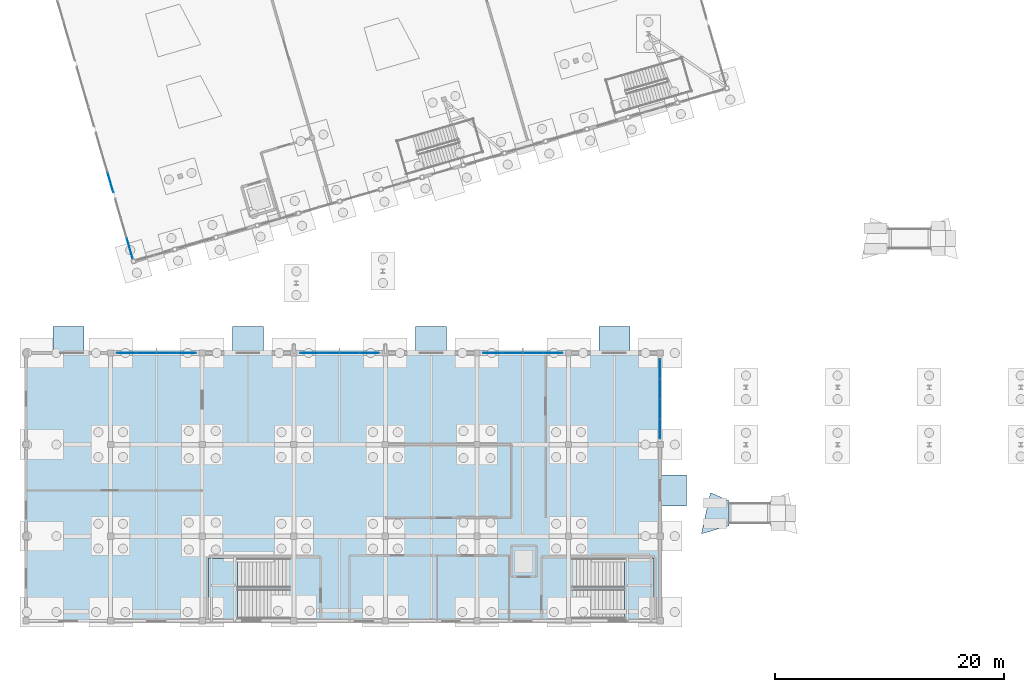
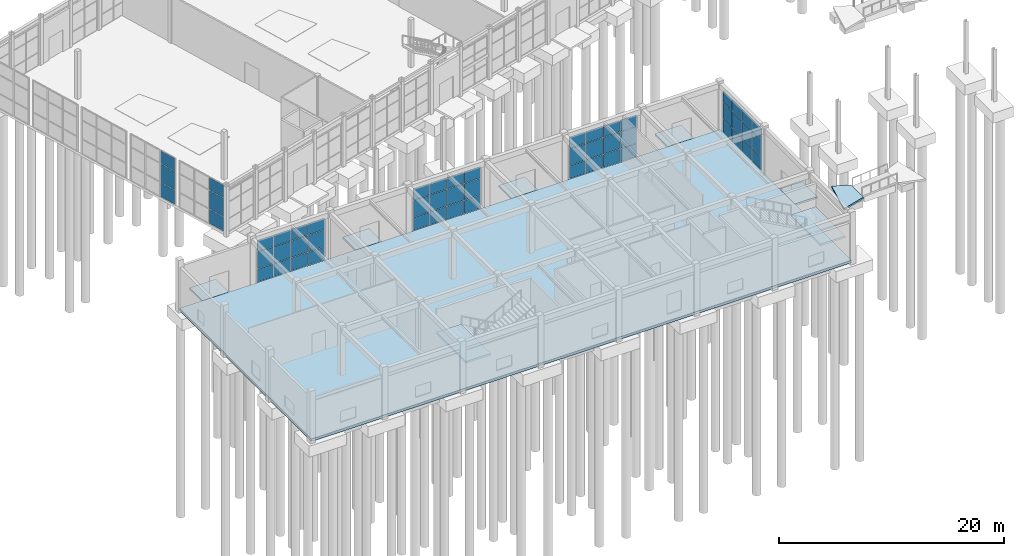
# One storey, part 61 of 90: 54 plates, 9 slabs, 8 elements without a shape of their own.
"""IFC4 building model written with IfcOpenShell, lengths in metres."""

from ifc_helpers import new_model, si_unit, direction, frame, origin, origin_2d, place, context, subcontext, project, spatial, polyline, rectangle, outline, extrude, material, layer, layer_set, type_object, element, aggregate, save


model = new_model("IFC4")

# Units and contexts
model_context = context("Model", 3, precision=1e-05, world=origin(), true_north=direction((0.0, 1.0)))
body_context = subcontext(model_context, "Body", "Model", "MODEL_VIEW")
ifc_project = project(units=[si_unit("LENGTHUNIT", "METRE"), si_unit("AREAUNIT", "SQUARE_METRE"), si_unit("VOLUMEUNIT", "CUBIC_METRE"), si_unit("PLANEANGLEUNIT", "RADIAN"), si_unit("MASSUNIT", "GRAM", prefix="KILO")], contexts=[model_context])

# Site, building, storey
site_placement = place(None, origin())
site = spatial("IfcSite", under=ifc_project, at=site_placement, CompositionType="ELEMENT")
building_placement = place(site_placement, origin())
building = spatial("IfcBuilding", under=site, at=building_placement, Name="Canggui Botanical Conservatory", CompositionType="ELEMENT")
storey_placement = place(building_placement, origin())
storey = spatial("IfcBuildingStorey", under=building, at=storey_placement, Name="L01", CompositionType="ELEMENT", Elevation=0.0)

# Curtain wall, plates
ifc_material_1 = material(Name="Thermally Broken Aluminium", Category="aluminium")
ifc_layer_1 = layer(ifc_material_1, 0.14990234375, Name="Thermally Broken Aluminium", Category="aluminium")
ifc_layer_set_1 = layer_set([ifc_layer_1], Name="Thermally Broken Aluminium")
curtain_wall_type_1 = type_object("IfcCurtainWallType", Name="CW-UNIT-C", PredefinedType="USERDEFINED", material=ifc_layer_set_1)
curtain_wall_1_placement = place(storey_placement, origin())
curtain_wall_1 = element("IfcCurtainWall", 1, at=curtain_wall_1_placement, inside=storey, type_object=curtain_wall_type_1, Name="Facade Curtain Wall CW-CONS-GABLE-S-01", ObjectType="UNITISED CURTAIN WALL", PredefinedType="USERDEFINED")
ifc_material_2 = material(Name="Low-E Insulated Glass", Category="glass")
ifc_layer_2 = layer(ifc_material_2, 0.033935546875, Name="Low-E Insulated Glass", Category="glass")
ifc_layer_set_2 = layer_set([ifc_layer_2], Name="Low-E Insulated Glass")
plate_type_1 = type_object("IfcPlateType", Name="CWP-03", PredefinedType="CURTAIN_PANEL", material=ifc_layer_set_2)
plate_1_placement = place(storey_placement, frame((19.669189453125, 43.134521484375, 0.05517578125), z_axis=(0.0, 0.0, 1.0), x_axis=(-0.279999999995, 0.960000000002, 0.0)))
plate_1 = element("IfcPlate", 2, at=plate_1_placement, type_object=plate_type_1, Name="CW-03 panel 1.1", PredefinedType="CURTAIN_PANEL", context=body_context, shape_type="SweptSolid", body=[
    extrude(rectangle(XDim=1.743408203125, YDim=0.033935546875, at=origin_2d()), origin(), (0.0, 0.0, 1.0), 1.549560546875),
])
plate_2_placement = place(storey_placement, frame((19.669189453125, 43.134521484375, 1.65966796875), z_axis=(0.0, 0.0, 1.0), x_axis=(-0.279999999995, 0.960000000002, 0.0)))
plate_2 = element("IfcPlate", 3, at=plate_2_placement, type_object=plate_type_1, Name="CW-03 panel 1.2", PredefinedType="CURTAIN_PANEL", context=body_context, shape_type="SweptSolid", body=[
    extrude(rectangle(XDim=1.743408203125, YDim=0.033935546875, at=origin_2d()), origin(), (0.0, 0.0, 1.0), 1.985107421875),
])
plate_3_placement = place(storey_placement, frame((19.669189453125, 43.134521484375, 3.69970703125), z_axis=(0.0, 0.0, 1.0), x_axis=(-0.279999999995, 0.960000000002, 0.0)))
plate_3 = element("IfcPlate", 4, at=plate_3_placement, type_object=plate_type_1, Name="CW-03 panel 1.3", PredefinedType="CURTAIN_PANEL", context=body_context, shape_type="SweptSolid", body=[
    extrude(rectangle(XDim=1.743408203125, YDim=0.033935546875, at=origin_2d()), origin(), (0.0, 0.0, 1.0), 1.345458984375),
])
aggregate(curtain_wall_1, [plate_1, plate_2, plate_3])

curtain_wall_2_placement = place(storey_placement, origin())
curtain_wall_2 = element("IfcCurtainWall", 5, at=curtain_wall_2_placement, inside=storey, type_object=curtain_wall_type_1, Name="Facade Curtain Wall CW-CONS-GABLE-S-02", ObjectType="UNITISED CURTAIN WALL", PredefinedType="USERDEFINED")
plate_4_placement = place(storey_placement, frame((17.989013671875, 48.894287109375, 0.05517578125), z_axis=(0.0, 0.0, 1.0), x_axis=(-0.279999999995, 0.960000000002, 0.0)))
plate_4 = element("IfcPlate", 6, at=plate_4_placement, type_object=plate_type_1, Name="CW-03 panel 1.1", PredefinedType="CURTAIN_PANEL", context=body_context, shape_type="SweptSolid", body=[
    extrude(rectangle(XDim=1.743408203125, YDim=0.033935546875, at=origin_2d()), origin(), (0.0, 0.0, 1.0), 1.549560546875),
])
plate_5_placement = place(storey_placement, frame((17.989013671875, 48.894287109375, 1.65966796875), z_axis=(0.0, 0.0, 1.0), x_axis=(-0.279999999995, 0.960000000002, 0.0)))
plate_5 = element("IfcPlate", 7, at=plate_5_placement, type_object=plate_type_1, Name="CW-03 panel 1.2", PredefinedType="CURTAIN_PANEL", context=body_context, shape_type="SweptSolid", body=[
    extrude(rectangle(XDim=1.743408203125, YDim=0.033935546875, at=origin_2d()), origin(), (0.0, 0.0, 1.0), 1.985107421875),
])
plate_6_placement = place(storey_placement, frame((17.989013671875, 48.894287109375, 3.69970703125), z_axis=(0.0, 0.0, 1.0), x_axis=(-0.279999999995, 0.960000000002, 0.0)))
plate_6 = element("IfcPlate", 8, at=plate_6_placement, type_object=plate_type_1, Name="CW-03 panel 1.3", PredefinedType="CURTAIN_PANEL", context=body_context, shape_type="SweptSolid", body=[
    extrude(rectangle(XDim=1.743408203125, YDim=0.033935546875, at=origin_2d()), origin(), (0.0, 0.0, 1.0), 1.345458984375),
])
aggregate(curtain_wall_2, [plate_4, plate_5, plate_6])

ifc_layer_3 = layer(ifc_material_1, 0.135009765625, Name="Thermally Broken Aluminium", Category="aluminium")
ifc_layer_set_3 = layer_set([ifc_layer_3], Name="Thermally Broken Aluminium")
curtain_wall_type_2 = type_object("IfcCurtainWallType", Name="CW-STICK-A", PredefinedType="USERDEFINED", material=ifc_layer_set_3)
curtain_wall_3_placement = place(storey_placement, origin())
curtain_wall_3 = element("IfcCurtainWall", 9, at=curtain_wall_3_placement, inside=storey, type_object=curtain_wall_type_2, Name="Facade Curtain Wall CW-VIS-L01-12", ObjectType="STICK GLAZED WALL", PredefinedType="USERDEFINED")
ifc_layer_4 = layer(ifc_material_2, 0.0380859375, Name="Low-E Insulated Glass", Category="glass")
ifc_layer_set_4 = layer_set([ifc_layer_4], Name="Low-E Insulated Glass")
plate_type_2 = type_object("IfcPlateType", Name="CWP-04", PredefinedType="CURTAIN_PANEL", material=ifc_layer_set_4)
plate_7_placement = place(storey_placement, frame((19.389892578125, 34.0, 0.0498046875), z_axis=(0.0, 0.0, 1.0), x_axis=(1.0, 0.0, 0.0)))
plate_7 = element("IfcPlate", 10, at=plate_7_placement, type_object=plate_type_2, Name="CW-04 panel 1.1", PredefinedType="CURTAIN_PANEL", context=body_context, shape_type="SweptSolid", body=[
    extrude(rectangle(XDim=1.659912109375, YDim=0.0380859375, at=origin_2d()), origin(), (0.0, 0.0, 1.0), 1.400146484375),
])
plate_8_placement = place(storey_placement, frame((19.389892578125, 34.0, 1.500244140625), z_axis=(0.0, 0.0, 1.0), x_axis=(1.0, 0.0, 0.0)))
plate_8 = element("IfcPlate", 11, at=plate_8_placement, type_object=plate_type_2, Name="CW-04 panel 1.2", PredefinedType="CURTAIN_PANEL", context=body_context, shape_type="SweptSolid", body=[
    extrude(rectangle(XDim=1.659912109375, YDim=0.0380859375, at=origin_2d()), origin(), (0.0, 0.0, 1.0), 1.7939453125),
])
plate_9_placement = place(storey_placement, frame((19.389892578125, 34.0, 3.34423828125), z_axis=(0.0, 0.0, 1.0), x_axis=(1.0, 0.0, 0.0)))
plate_9 = element("IfcPlate", 12, at=plate_9_placement, type_object=plate_type_2, Name="CW-04 panel 1.3", PredefinedType="CURTAIN_PANEL", context=body_context, shape_type="SweptSolid", body=[
    extrude(rectangle(XDim=1.659912109375, YDim=0.0380859375, at=origin_2d()), origin(), (0.0, 0.0, 1.0), 1.2158203125),
])
plate_10_placement = place(storey_placement, frame((21.125, 34.0, 0.0498046875), z_axis=(0.0, 0.0, 1.0), x_axis=(1.0, 0.0, 0.0)))
plate_10 = element("IfcPlate", 13, at=plate_10_placement, type_object=plate_type_2, Name="CW-04 panel 2.1", PredefinedType="CURTAIN_PANEL", context=body_context, shape_type="SweptSolid", body=[
    extrude(rectangle(XDim=1.68994140625, YDim=0.0380859375, at=origin_2d()), origin(), (0.0, 0.0, 1.0), 1.400146484375),
])
plate_11_placement = place(storey_placement, frame((21.125, 34.0, 1.500244140625), z_axis=(0.0, 0.0, 1.0), x_axis=(1.0, 0.0, 0.0)))
plate_11 = element("IfcPlate", 14, at=plate_11_placement, type_object=plate_type_2, Name="CW-04 panel 2.2", PredefinedType="CURTAIN_PANEL", context=body_context, shape_type="SweptSolid", body=[
    extrude(rectangle(XDim=1.68994140625, YDim=0.0380859375, at=origin_2d()), origin(), (0.0, 0.0, 1.0), 1.7939453125),
])
plate_12_placement = place(storey_placement, frame((21.125, 34.0, 3.34423828125), z_axis=(0.0, 0.0, 1.0), x_axis=(1.0, 0.0, 0.0)))
plate_12 = element("IfcPlate", 15, at=plate_12_placement, type_object=plate_type_2, Name="CW-04 panel 2.3", PredefinedType="CURTAIN_PANEL", context=body_context, shape_type="SweptSolid", body=[
    extrude(rectangle(XDim=1.68994140625, YDim=0.0380859375, at=origin_2d()), origin(), (0.0, 0.0, 1.0), 1.2158203125),
])
plate_13_placement = place(storey_placement, frame((22.875, 34.0, 0.0498046875), z_axis=(0.0, 0.0, 1.0), x_axis=(1.0, 0.0, 0.0)))
plate_13 = element("IfcPlate", 16, at=plate_13_placement, type_object=plate_type_2, Name="CW-04 panel 3.1", PredefinedType="CURTAIN_PANEL", context=body_context, shape_type="SweptSolid", body=[
    extrude(rectangle(XDim=1.68994140625, YDim=0.0380859375, at=origin_2d()), origin(), (0.0, 0.0, 1.0), 1.400146484375),
])
plate_14_placement = place(storey_placement, frame((22.875, 34.0, 1.500244140625), z_axis=(0.0, 0.0, 1.0), x_axis=(1.0, 0.0, 0.0)))
plate_14 = element("IfcPlate", 17, at=plate_14_placement, type_object=plate_type_2, Name="CW-04 panel 3.2", PredefinedType="CURTAIN_PANEL", context=body_context, shape_type="SweptSolid", body=[
    extrude(rectangle(XDim=1.68994140625, YDim=0.0380859375, at=origin_2d()), origin(), (0.0, 0.0, 1.0), 1.7939453125),
])
plate_15_placement = place(storey_placement, frame((22.875, 34.0, 3.34423828125), z_axis=(0.0, 0.0, 1.0), x_axis=(1.0, 0.0, 0.0)))
plate_15 = element("IfcPlate", 18, at=plate_15_placement, type_object=plate_type_2, Name="CW-04 panel 3.3", PredefinedType="CURTAIN_PANEL", context=body_context, shape_type="SweptSolid", body=[
    extrude(rectangle(XDim=1.68994140625, YDim=0.0380859375, at=origin_2d()), origin(), (0.0, 0.0, 1.0), 1.2158203125),
])
plate_16_placement = place(storey_placement, frame((24.610107421875, 34.0, 0.0498046875), z_axis=(0.0, 0.0, 1.0), x_axis=(1.0, 0.0, 0.0)))
plate_16 = element("IfcPlate", 19, at=plate_16_placement, type_object=plate_type_2, Name="CW-04 panel 4.1", PredefinedType="CURTAIN_PANEL", context=body_context, shape_type="SweptSolid", body=[
    extrude(rectangle(XDim=1.659912109375, YDim=0.0380859375, at=origin_2d()), origin(), (0.0, 0.0, 1.0), 1.400146484375),
])
plate_17_placement = place(storey_placement, frame((24.610107421875, 34.0, 1.500244140625), z_axis=(0.0, 0.0, 1.0), x_axis=(1.0, 0.0, 0.0)))
plate_17 = element("IfcPlate", 20, at=plate_17_placement, type_object=plate_type_2, Name="CW-04 panel 4.2", PredefinedType="CURTAIN_PANEL", context=body_context, shape_type="SweptSolid", body=[
    extrude(rectangle(XDim=1.659912109375, YDim=0.0380859375, at=origin_2d()), origin(), (0.0, 0.0, 1.0), 1.7939453125),
])
plate_18_placement = place(storey_placement, frame((24.610107421875, 34.0, 3.34423828125), z_axis=(0.0, 0.0, 1.0), x_axis=(1.0, 0.0, 0.0)))
plate_18 = element("IfcPlate", 21, at=plate_18_placement, type_object=plate_type_2, Name="CW-04 panel 4.3", PredefinedType="CURTAIN_PANEL", context=body_context, shape_type="SweptSolid", body=[
    extrude(rectangle(XDim=1.659912109375, YDim=0.0380859375, at=origin_2d()), origin(), (0.0, 0.0, 1.0), 1.2158203125),
])
aggregate(curtain_wall_3, [plate_7, plate_8, plate_9, plate_10, plate_11, plate_12, plate_13, plate_14, plate_15, plate_16, plate_17, plate_18])

curtain_wall_4_placement = place(storey_placement, origin())
curtain_wall_4 = element("IfcCurtainWall", 22, at=curtain_wall_4_placement, inside=storey, type_object=curtain_wall_type_2, Name="Facade Curtain Wall CW-VIS-L01-14", ObjectType="STICK GLAZED WALL", PredefinedType="USERDEFINED")
plate_19_placement = place(storey_placement, frame((35.389892578125, 34.0, 0.0498046875), z_axis=(0.0, 0.0, 1.0), x_axis=(1.0, 0.0, 0.0)))
plate_19 = element("IfcPlate", 23, at=plate_19_placement, type_object=plate_type_2, Name="CW-04 panel 1.1", PredefinedType="CURTAIN_PANEL", context=body_context, shape_type="SweptSolid", body=[
    extrude(rectangle(XDim=1.659912109375, YDim=0.0380859375, at=origin_2d()), origin(), (0.0, 0.0, 1.0), 1.400146484375),
])
plate_20_placement = place(storey_placement, frame((35.389892578125, 34.0, 1.500244140625), z_axis=(0.0, 0.0, 1.0), x_axis=(1.0, 0.0, 0.0)))
plate_20 = element("IfcPlate", 24, at=plate_20_placement, type_object=plate_type_2, Name="CW-04 panel 1.2", PredefinedType="CURTAIN_PANEL", context=body_context, shape_type="SweptSolid", body=[
    extrude(rectangle(XDim=1.659912109375, YDim=0.0380859375, at=origin_2d()), origin(), (0.0, 0.0, 1.0), 1.7939453125),
])
plate_21_placement = place(storey_placement, frame((35.389892578125, 34.0, 3.34423828125), z_axis=(0.0, 0.0, 1.0), x_axis=(1.0, 0.0, 0.0)))
plate_21 = element("IfcPlate", 25, at=plate_21_placement, type_object=plate_type_2, Name="CW-04 panel 1.3", PredefinedType="CURTAIN_PANEL", context=body_context, shape_type="SweptSolid", body=[
    extrude(rectangle(XDim=1.659912109375, YDim=0.0380859375, at=origin_2d()), origin(), (0.0, 0.0, 1.0), 1.2158203125),
])
plate_22_placement = place(storey_placement, frame((37.125, 34.0, 0.0498046875), z_axis=(0.0, 0.0, 1.0), x_axis=(1.0, 0.0, 0.0)))
plate_22 = element("IfcPlate", 26, at=plate_22_placement, type_object=plate_type_2, Name="CW-04 panel 2.1", PredefinedType="CURTAIN_PANEL", context=body_context, shape_type="SweptSolid", body=[
    extrude(rectangle(XDim=1.68994140625, YDim=0.0380859375, at=origin_2d()), origin(), (0.0, 0.0, 1.0), 1.400146484375),
])
plate_23_placement = place(storey_placement, frame((37.125, 34.0, 1.500244140625), z_axis=(0.0, 0.0, 1.0), x_axis=(1.0, 0.0, 0.0)))
plate_23 = element("IfcPlate", 27, at=plate_23_placement, type_object=plate_type_2, Name="CW-04 panel 2.2", PredefinedType="CURTAIN_PANEL", context=body_context, shape_type="SweptSolid", body=[
    extrude(rectangle(XDim=1.68994140625, YDim=0.0380859375, at=origin_2d()), origin(), (0.0, 0.0, 1.0), 1.7939453125),
])
plate_24_placement = place(storey_placement, frame((37.125, 34.0, 3.34423828125), z_axis=(0.0, 0.0, 1.0), x_axis=(1.0, 0.0, 0.0)))
plate_24 = element("IfcPlate", 28, at=plate_24_placement, type_object=plate_type_2, Name="CW-04 panel 2.3", PredefinedType="CURTAIN_PANEL", context=body_context, shape_type="SweptSolid", body=[
    extrude(rectangle(XDim=1.68994140625, YDim=0.0380859375, at=origin_2d()), origin(), (0.0, 0.0, 1.0), 1.2158203125),
])
plate_25_placement = place(storey_placement, frame((38.875, 34.0, 0.0498046875), z_axis=(0.0, 0.0, 1.0), x_axis=(1.0, 0.0, 0.0)))
plate_25 = element("IfcPlate", 29, at=plate_25_placement, type_object=plate_type_2, Name="CW-04 panel 3.1", PredefinedType="CURTAIN_PANEL", context=body_context, shape_type="SweptSolid", body=[
    extrude(rectangle(XDim=1.68994140625, YDim=0.0380859375, at=origin_2d()), origin(), (0.0, 0.0, 1.0), 1.400146484375),
])
plate_26_placement = place(storey_placement, frame((38.875, 34.0, 1.500244140625), z_axis=(0.0, 0.0, 1.0), x_axis=(1.0, 0.0, 0.0)))
plate_26 = element("IfcPlate", 30, at=plate_26_placement, type_object=plate_type_2, Name="CW-04 panel 3.2", PredefinedType="CURTAIN_PANEL", context=body_context, shape_type="SweptSolid", body=[
    extrude(rectangle(XDim=1.68994140625, YDim=0.0380859375, at=origin_2d()), origin(), (0.0, 0.0, 1.0), 1.7939453125),
])
plate_27_placement = place(storey_placement, frame((38.875, 34.0, 3.34423828125), z_axis=(0.0, 0.0, 1.0), x_axis=(1.0, 0.0, 0.0)))
plate_27 = element("IfcPlate", 31, at=plate_27_placement, type_object=plate_type_2, Name="CW-04 panel 3.3", PredefinedType="CURTAIN_PANEL", context=body_context, shape_type="SweptSolid", body=[
    extrude(rectangle(XDim=1.68994140625, YDim=0.0380859375, at=origin_2d()), origin(), (0.0, 0.0, 1.0), 1.2158203125),
])
plate_28_placement = place(storey_placement, frame((40.610107421875, 34.0, 0.0498046875), z_axis=(0.0, 0.0, 1.0), x_axis=(1.0, 0.0, 0.0)))
plate_28 = element("IfcPlate", 32, at=plate_28_placement, type_object=plate_type_2, Name="CW-04 panel 4.1", PredefinedType="CURTAIN_PANEL", context=body_context, shape_type="SweptSolid", body=[
    extrude(rectangle(XDim=1.659912109375, YDim=0.0380859375, at=origin_2d()), origin(), (0.0, 0.0, 1.0), 1.400146484375),
])
plate_29_placement = place(storey_placement, frame((40.610107421875, 34.0, 1.500244140625), z_axis=(0.0, 0.0, 1.0), x_axis=(1.0, 0.0, 0.0)))
plate_29 = element("IfcPlate", 33, at=plate_29_placement, type_object=plate_type_2, Name="CW-04 panel 4.2", PredefinedType="CURTAIN_PANEL", context=body_context, shape_type="SweptSolid", body=[
    extrude(rectangle(XDim=1.659912109375, YDim=0.0380859375, at=origin_2d()), origin(), (0.0, 0.0, 1.0), 1.7939453125),
])
plate_30_placement = place(storey_placement, frame((40.610107421875, 34.0, 3.34423828125), z_axis=(0.0, 0.0, 1.0), x_axis=(1.0, 0.0, 0.0)))
plate_30 = element("IfcPlate", 34, at=plate_30_placement, type_object=plate_type_2, Name="CW-04 panel 4.3", PredefinedType="CURTAIN_PANEL", context=body_context, shape_type="SweptSolid", body=[
    extrude(rectangle(XDim=1.659912109375, YDim=0.0380859375, at=origin_2d()), origin(), (0.0, 0.0, 1.0), 1.2158203125),
])
aggregate(curtain_wall_4, [plate_19, plate_20, plate_21, plate_22, plate_23, plate_24, plate_25, plate_26, plate_27, plate_28, plate_29, plate_30])

curtain_wall_5_placement = place(storey_placement, origin())
curtain_wall_5 = element("IfcCurtainWall", 35, at=curtain_wall_5_placement, inside=storey, type_object=curtain_wall_type_2, Name="Facade Curtain Wall CW-VIS-L01-16", ObjectType="STICK GLAZED WALL", PredefinedType="USERDEFINED")
plate_31_placement = place(storey_placement, frame((51.389892578125, 34.0, 0.0498046875), z_axis=(0.0, 0.0, 1.0), x_axis=(1.0, 0.0, 0.0)))
plate_31 = element("IfcPlate", 36, at=plate_31_placement, type_object=plate_type_2, Name="CW-04 panel 1.1", PredefinedType="CURTAIN_PANEL", context=body_context, shape_type="SweptSolid", body=[
    extrude(rectangle(XDim=1.659912109375, YDim=0.0380859375, at=origin_2d()), origin(), (0.0, 0.0, 1.0), 1.400146484375),
])
plate_32_placement = place(storey_placement, frame((51.389892578125, 34.0, 1.500244140625), z_axis=(0.0, 0.0, 1.0), x_axis=(1.0, 0.0, 0.0)))
plate_32 = element("IfcPlate", 37, at=plate_32_placement, type_object=plate_type_2, Name="CW-04 panel 1.2", PredefinedType="CURTAIN_PANEL", context=body_context, shape_type="SweptSolid", body=[
    extrude(rectangle(XDim=1.659912109375, YDim=0.0380859375, at=origin_2d()), origin(), (0.0, 0.0, 1.0), 1.7939453125),
])
plate_33_placement = place(storey_placement, frame((51.389892578125, 34.0, 3.34423828125), z_axis=(0.0, 0.0, 1.0), x_axis=(1.0, 0.0, 0.0)))
plate_33 = element("IfcPlate", 38, at=plate_33_placement, type_object=plate_type_2, Name="CW-04 panel 1.3", PredefinedType="CURTAIN_PANEL", context=body_context, shape_type="SweptSolid", body=[
    extrude(rectangle(XDim=1.659912109375, YDim=0.0380859375, at=origin_2d()), origin(), (0.0, 0.0, 1.0), 1.2158203125),
])
plate_34_placement = place(storey_placement, frame((53.125, 34.0, 0.0498046875), z_axis=(0.0, 0.0, 1.0), x_axis=(1.0, 0.0, 0.0)))
plate_34 = element("IfcPlate", 39, at=plate_34_placement, type_object=plate_type_2, Name="CW-04 panel 2.1", PredefinedType="CURTAIN_PANEL", context=body_context, shape_type="SweptSolid", body=[
    extrude(rectangle(XDim=1.68994140625, YDim=0.0380859375, at=origin_2d()), origin(), (0.0, 0.0, 1.0), 1.400146484375),
])
plate_35_placement = place(storey_placement, frame((53.125, 34.0, 1.500244140625), z_axis=(0.0, 0.0, 1.0), x_axis=(1.0, 0.0, 0.0)))
plate_35 = element("IfcPlate", 40, at=plate_35_placement, type_object=plate_type_2, Name="CW-04 panel 2.2", PredefinedType="CURTAIN_PANEL", context=body_context, shape_type="SweptSolid", body=[
    extrude(rectangle(XDim=1.68994140625, YDim=0.0380859375, at=origin_2d()), origin(), (0.0, 0.0, 1.0), 1.7939453125),
])
plate_36_placement = place(storey_placement, frame((53.125, 34.0, 3.34423828125), z_axis=(0.0, 0.0, 1.0), x_axis=(1.0, 0.0, 0.0)))
plate_36 = element("IfcPlate", 41, at=plate_36_placement, type_object=plate_type_2, Name="CW-04 panel 2.3", PredefinedType="CURTAIN_PANEL", context=body_context, shape_type="SweptSolid", body=[
    extrude(rectangle(XDim=1.68994140625, YDim=0.0380859375, at=origin_2d()), origin(), (0.0, 0.0, 1.0), 1.2158203125),
])
plate_37_placement = place(storey_placement, frame((54.875, 34.0, 0.0498046875), z_axis=(0.0, 0.0, 1.0), x_axis=(1.0, 0.0, 0.0)))
plate_37 = element("IfcPlate", 42, at=plate_37_placement, type_object=plate_type_2, Name="CW-04 panel 3.1", PredefinedType="CURTAIN_PANEL", context=body_context, shape_type="SweptSolid", body=[
    extrude(rectangle(XDim=1.68994140625, YDim=0.0380859375, at=origin_2d()), origin(), (0.0, 0.0, 1.0), 1.400146484375),
])
plate_38_placement = place(storey_placement, frame((54.875, 34.0, 1.500244140625), z_axis=(0.0, 0.0, 1.0), x_axis=(1.0, 0.0, 0.0)))
plate_38 = element("IfcPlate", 43, at=plate_38_placement, type_object=plate_type_2, Name="CW-04 panel 3.2", PredefinedType="CURTAIN_PANEL", context=body_context, shape_type="SweptSolid", body=[
    extrude(rectangle(XDim=1.68994140625, YDim=0.0380859375, at=origin_2d()), origin(), (0.0, 0.0, 1.0), 1.7939453125),
])
plate_39_placement = place(storey_placement, frame((54.875, 34.0, 3.34423828125), z_axis=(0.0, 0.0, 1.0), x_axis=(1.0, 0.0, 0.0)))
plate_39 = element("IfcPlate", 44, at=plate_39_placement, type_object=plate_type_2, Name="CW-04 panel 3.3", PredefinedType="CURTAIN_PANEL", context=body_context, shape_type="SweptSolid", body=[
    extrude(rectangle(XDim=1.68994140625, YDim=0.0380859375, at=origin_2d()), origin(), (0.0, 0.0, 1.0), 1.2158203125),
])
plate_40_placement = place(storey_placement, frame((56.610107421875, 34.0, 0.0498046875), z_axis=(0.0, 0.0, 1.0), x_axis=(1.0, 0.0, 0.0)))
plate_40 = element("IfcPlate", 45, at=plate_40_placement, type_object=plate_type_2, Name="CW-04 panel 4.1", PredefinedType="CURTAIN_PANEL", context=body_context, shape_type="SweptSolid", body=[
    extrude(rectangle(XDim=1.659912109375, YDim=0.0380859375, at=origin_2d()), origin(), (0.0, 0.0, 1.0), 1.400146484375),
])
plate_41_placement = place(storey_placement, frame((56.610107421875, 34.0, 1.500244140625), z_axis=(0.0, 0.0, 1.0), x_axis=(1.0, 0.0, 0.0)))
plate_41 = element("IfcPlate", 46, at=plate_41_placement, type_object=plate_type_2, Name="CW-04 panel 4.2", PredefinedType="CURTAIN_PANEL", context=body_context, shape_type="SweptSolid", body=[
    extrude(rectangle(XDim=1.659912109375, YDim=0.0380859375, at=origin_2d()), origin(), (0.0, 0.0, 1.0), 1.7939453125),
])
plate_42_placement = place(storey_placement, frame((56.610107421875, 34.0, 3.34423828125), z_axis=(0.0, 0.0, 1.0), x_axis=(1.0, 0.0, 0.0)))
plate_42 = element("IfcPlate", 47, at=plate_42_placement, type_object=plate_type_2, Name="CW-04 panel 4.3", PredefinedType="CURTAIN_PANEL", context=body_context, shape_type="SweptSolid", body=[
    extrude(rectangle(XDim=1.659912109375, YDim=0.0380859375, at=origin_2d()), origin(), (0.0, 0.0, 1.0), 1.2158203125),
])
aggregate(curtain_wall_5, [plate_31, plate_32, plate_33, plate_34, plate_35, plate_36, plate_37, plate_38, plate_39, plate_40, plate_41, plate_42])

curtain_wall_6_placement = place(storey_placement, origin())
curtain_wall_6 = element("IfcCurtainWall", 48, at=curtain_wall_6_placement, inside=storey, type_object=curtain_wall_type_2, Name="Facade Curtain Wall CW-VIS-L01-18", ObjectType="STICK GLAZED WALL", PredefinedType="USERDEFINED")
plate_43_placement = place(storey_placement, frame((66.0, 32.610107421875, 0.0498046875), z_axis=(0.0, 0.0, 1.0), x_axis=(0.0, -1.0, 0.0)))
plate_43 = element("IfcPlate", 49, at=plate_43_placement, type_object=plate_type_2, Name="CW-04 panel 1.1", PredefinedType="CURTAIN_PANEL", context=body_context, shape_type="SweptSolid", body=[
    extrude(rectangle(XDim=1.659912109375, YDim=0.0380859375, at=origin_2d()), origin(), (0.0, 0.0, 1.0), 1.400146484375),
])
plate_44_placement = place(storey_placement, frame((66.0, 32.610107421875, 1.500244140625), z_axis=(0.0, 0.0, 1.0), x_axis=(0.0, -1.0, 0.0)))
plate_44 = element("IfcPlate", 50, at=plate_44_placement, type_object=plate_type_2, Name="CW-04 panel 1.2", PredefinedType="CURTAIN_PANEL", context=body_context, shape_type="SweptSolid", body=[
    extrude(rectangle(XDim=1.659912109375, YDim=0.0380859375, at=origin_2d()), origin(), (0.0, 0.0, 1.0), 1.7939453125),
])
plate_45_placement = place(storey_placement, frame((66.0, 32.610107421875, 3.34423828125), z_axis=(0.0, 0.0, 1.0), x_axis=(0.0, -1.0, 0.0)))
plate_45 = element("IfcPlate", 51, at=plate_45_placement, type_object=plate_type_2, Name="CW-04 panel 1.3", PredefinedType="CURTAIN_PANEL", context=body_context, shape_type="SweptSolid", body=[
    extrude(rectangle(XDim=1.659912109375, YDim=0.0380859375, at=origin_2d()), origin(), (0.0, 0.0, 1.0), 1.2158203125),
])
plate_46_placement = place(storey_placement, frame((66.0, 30.875, 0.0498046875), z_axis=(0.0, 0.0, 1.0), x_axis=(0.0, -1.0, 0.0)))
plate_46 = element("IfcPlate", 52, at=plate_46_placement, type_object=plate_type_2, Name="CW-04 panel 2.1", PredefinedType="CURTAIN_PANEL", context=body_context, shape_type="SweptSolid", body=[
    extrude(rectangle(XDim=1.68994140625, YDim=0.0380859375, at=origin_2d()), origin(), (0.0, 0.0, 1.0), 1.400146484375),
])
plate_47_placement = place(storey_placement, frame((66.0, 30.875, 1.500244140625), z_axis=(0.0, 0.0, 1.0), x_axis=(0.0, -1.0, 0.0)))
plate_47 = element("IfcPlate", 53, at=plate_47_placement, type_object=plate_type_2, Name="CW-04 panel 2.2", PredefinedType="CURTAIN_PANEL", context=body_context, shape_type="SweptSolid", body=[
    extrude(rectangle(XDim=1.68994140625, YDim=0.0380859375, at=origin_2d()), origin(), (0.0, 0.0, 1.0), 1.7939453125),
])
plate_48_placement = place(storey_placement, frame((66.0, 30.875, 3.34423828125), z_axis=(0.0, 0.0, 1.0), x_axis=(0.0, -1.0, 0.0)))
plate_48 = element("IfcPlate", 54, at=plate_48_placement, type_object=plate_type_2, Name="CW-04 panel 2.3", PredefinedType="CURTAIN_PANEL", context=body_context, shape_type="SweptSolid", body=[
    extrude(rectangle(XDim=1.68994140625, YDim=0.0380859375, at=origin_2d()), origin(), (0.0, 0.0, 1.0), 1.2158203125),
])
plate_49_placement = place(storey_placement, frame((66.0, 29.125, 0.0498046875), z_axis=(0.0, 0.0, 1.0), x_axis=(0.0, -1.0, 0.0)))
plate_49 = element("IfcPlate", 55, at=plate_49_placement, type_object=plate_type_2, Name="CW-04 panel 3.1", PredefinedType="CURTAIN_PANEL", context=body_context, shape_type="SweptSolid", body=[
    extrude(rectangle(XDim=1.68994140625, YDim=0.0380859375, at=origin_2d()), origin(), (0.0, 0.0, 1.0), 1.400146484375),
])
plate_50_placement = place(storey_placement, frame((66.0, 29.125, 1.500244140625), z_axis=(0.0, 0.0, 1.0), x_axis=(0.0, -1.0, 0.0)))
plate_50 = element("IfcPlate", 56, at=plate_50_placement, type_object=plate_type_2, Name="CW-04 panel 3.2", PredefinedType="CURTAIN_PANEL", context=body_context, shape_type="SweptSolid", body=[
    extrude(rectangle(XDim=1.68994140625, YDim=0.0380859375, at=origin_2d()), origin(), (0.0, 0.0, 1.0), 1.7939453125),
])
plate_51_placement = place(storey_placement, frame((66.0, 29.125, 3.34423828125), z_axis=(0.0, 0.0, 1.0), x_axis=(0.0, -1.0, 0.0)))
plate_51 = element("IfcPlate", 57, at=plate_51_placement, type_object=plate_type_2, Name="CW-04 panel 3.3", PredefinedType="CURTAIN_PANEL", context=body_context, shape_type="SweptSolid", body=[
    extrude(rectangle(XDim=1.68994140625, YDim=0.0380859375, at=origin_2d()), origin(), (0.0, 0.0, 1.0), 1.2158203125),
])
plate_52_placement = place(storey_placement, frame((66.0, 27.389892578125, 0.0498046875), z_axis=(0.0, 0.0, 1.0), x_axis=(0.0, -1.0, 0.0)))
plate_52 = element("IfcPlate", 58, at=plate_52_placement, type_object=plate_type_2, Name="CW-04 panel 4.1", PredefinedType="CURTAIN_PANEL", context=body_context, shape_type="SweptSolid", body=[
    extrude(rectangle(XDim=1.659912109375, YDim=0.0380859375, at=origin_2d()), origin(), (0.0, 0.0, 1.0), 1.400146484375),
])
plate_53_placement = place(storey_placement, frame((66.0, 27.389892578125, 1.500244140625), z_axis=(0.0, 0.0, 1.0), x_axis=(0.0, -1.0, 0.0)))
plate_53 = element("IfcPlate", 59, at=plate_53_placement, type_object=plate_type_2, Name="CW-04 panel 4.2", PredefinedType="CURTAIN_PANEL", context=body_context, shape_type="SweptSolid", body=[
    extrude(rectangle(XDim=1.659912109375, YDim=0.0380859375, at=origin_2d()), origin(), (0.0, 0.0, 1.0), 1.7939453125),
])
plate_54_placement = place(storey_placement, frame((66.0, 27.389892578125, 3.34423828125), z_axis=(0.0, 0.0, 1.0), x_axis=(0.0, -1.0, 0.0)))
plate_54 = element("IfcPlate", 60, at=plate_54_placement, type_object=plate_type_2, Name="CW-04 panel 4.3", PredefinedType="CURTAIN_PANEL", context=body_context, shape_type="SweptSolid", body=[
    extrude(rectangle(XDim=1.659912109375, YDim=0.0380859375, at=origin_2d()), origin(), (0.0, 0.0, 1.0), 1.2158203125),
])
aggregate(curtain_wall_6, [plate_43, plate_44, plate_45, plate_46, plate_47, plate_48, plate_49, plate_50, plate_51, plate_52, plate_53, plate_54])

# Slab
ifc_material_3 = material(Name="Concrete C35", Category="concrete")
ifc_layer_5 = layer(ifc_material_3, 0.280029296875, Name="Concrete C35", Category="concrete")
ifc_layer_set_5 = layer_set([ifc_layer_5], Name="Concrete C35")
slab_type_1 = type_object("IfcSlabType", Name="SLAB-F280", PredefinedType="FLOOR", material=ifc_layer_set_5)
slab_1_placement = place(storey_placement, frame((0.0, 0.0, -0.280029296875)))
element("IfcSlab", 61, at=slab_1_placement, inside=storey, type_object=slab_type_1, Name="Visitor Centre L01 Floor Slab", PredefinedType="FLOOR", context=body_context, shape_type="SweptSolid", body=[
    extrude(outline(polyline([(10.60009765625, 10.60009765625), (66.0, 10.60009765625), (66.0, 34.0), (10.60009765625, 34.0), (10.60009765625, 10.60009765625)])), origin(), (0.0, 0.0, 1.0), 0.280029296875),
])

# Stair, slab
stair_type = type_object("IfcStairType", Name="STR-TYPE-7", PredefinedType="HALF_TURN_STAIR", material=ifc_material_3)
stair_1_placement = place(storey_placement, origin())
stair_1 = element("IfcStair", 62, at=stair_1_placement, inside=storey, type_object=stair_type, Name="L01 Visitor Centre East Stair ST-V1", PredefinedType="HALF_TURN_STAIR")
ifc_layer_6 = layer(ifc_material_3, 0.199951171875, Name="Concrete C35", Category="concrete")
ifc_layer_set_6 = layer_set([ifc_layer_6], Name="Concrete C35")
slab_type_2 = type_object("IfcSlabType", Name="SLAB-LND-200", PredefinedType="LANDING", material=ifc_layer_set_6)
slab_2_placement = place(storey_placement, frame((0.0, 0.0, 2.5)))
slab_2 = element("IfcSlab", 63, at=slab_2_placement, type_object=slab_type_2, Name="ST-V1 landing 1", PredefinedType="LANDING", context=body_context, shape_type="SweptSolid", body=[
    extrude(outline(polyline([(62.8994140625, 10.780029296875), (65.449951171875, 10.780029296875), (65.449951171875, 16.0400390625), (62.8994140625, 16.0400390625), (62.8994140625, 10.780029296875)])), origin(), (0.0, 0.0, 1.0), 0.199951171875),
])
aggregate(stair_1, [slab_2])

stair_2_placement = place(storey_placement, origin())
stair_2 = element("IfcStair", 64, at=stair_2_placement, inside=storey, type_object=stair_type, Name="L01 Visitor Centre West Stair ST-V2", PredefinedType="HALF_TURN_STAIR")
slab_3_placement = place(storey_placement, frame((0.0, 0.0, 2.5)))
slab_3 = element("IfcSlab", 65, at=slab_3_placement, type_object=slab_type_2, Name="ST-V2 landing 1", PredefinedType="LANDING", context=body_context, shape_type="SweptSolid", body=[
    extrude(outline(polyline([(29.1005859375, 16.0400390625), (26.550048828125, 16.0400390625), (26.550048828125, 10.780029296875), (29.1005859375, 10.780029296875), (29.1005859375, 16.0400390625)])), origin(), (0.0, 0.0, 1.0), 0.199951171875),
])
aggregate(stair_2, [slab_3])

# Slabs
ifc_layer_7 = layer(ifc_material_3, 0.179931640625, Name="Concrete C35", Category="concrete")
ifc_layer_set_7 = layer_set([ifc_layer_7], Name="Concrete C35")
slab_type_3 = type_object("IfcSlabType", Name="SLAB-PAV-180", PredefinedType="USERDEFINED", material=ifc_layer_set_7)
slab_4_placement = place(storey_placement, frame((0.0, 0.0, -0.47998046875)))
element("IfcSlab", 66, at=slab_4_placement, inside=storey, type_object=slab_type_3, Name="PR-01 Lower Courtyard Landing Paving", ObjectType="PAVING", PredefinedType="USERDEFINED", context=body_context, shape_type="SweptSolid", body=[
    extrude(outline(polyline([(69.60009765625, 18.199951171875), (72.00048828125, 18.89990234375), (72.00048828125, 21.10009765625), (70.39990234375, 21.800048828125), (69.60009765625, 18.199951171875)])), origin(), (0.0, 0.0, 1.0), 0.179931640625),
])
ifc_layer_8 = layer(ifc_material_3, 0.199951171875, Name="Concrete C35", Category="concrete")
ifc_layer_set_8 = layer_set([ifc_layer_8], Name="Concrete C35")
slab_type_4 = type_object("IfcSlabType", Name="SLAB-PAV-200", PredefinedType="USERDEFINED", material=ifc_layer_set_8)
slab_5_placement = place(storey_placement, frame((0.0, 0.0, -0.199951171875)))
element("IfcSlab", 67, at=slab_5_placement, inside=storey, type_object=slab_type_4, Name="Entrance Threshold Paving APRON-VIS-09", ObjectType="PAVING", PredefinedType="USERDEFINED", context=body_context, shape_type="SweptSolid", body=[
    extrude(outline(polyline([(15.64990234375, 33.97802734375), (12.949951171875, 33.97802734375), (12.949951171875, 36.300048828125), (15.64990234375, 36.300048828125), (15.64990234375, 33.97802734375)])), origin(), (0.0, 0.0, 1.0), 0.199951171875),
])
slab_6_placement = place(storey_placement, frame((0.0, 0.0, -0.199951171875)))
element("IfcSlab", 68, at=slab_6_placement, inside=storey, type_object=slab_type_4, Name="Entrance Threshold Paving APRON-VIS-10", ObjectType="PAVING", PredefinedType="USERDEFINED", context=body_context, shape_type="SweptSolid", body=[
    extrude(outline(polyline([(31.35009765625, 33.97802734375), (28.64990234375, 33.97802734375), (28.64990234375, 36.300048828125), (31.35009765625, 36.300048828125), (31.35009765625, 33.97802734375)])), origin(), (0.0, 0.0, 1.0), 0.199951171875),
])
slab_7_placement = place(storey_placement, frame((0.0, 0.0, -0.199951171875)))
element("IfcSlab", 69, at=slab_7_placement, inside=storey, type_object=slab_type_4, Name="Entrance Threshold Paving APRON-VIS-11", ObjectType="PAVING", PredefinedType="USERDEFINED", context=body_context, shape_type="SweptSolid", body=[
    extrude(outline(polyline([(47.35009765625, 33.97802734375), (44.64990234375, 33.97802734375), (44.64990234375, 36.300048828125), (47.35009765625, 36.300048828125), (47.35009765625, 33.97802734375)])), origin(), (0.0, 0.0, 1.0), 0.199951171875),
])
slab_8_placement = place(storey_placement, frame((0.0, 0.0, -0.199951171875)))
element("IfcSlab", 70, at=slab_8_placement, inside=storey, type_object=slab_type_4, Name="Entrance Threshold Paving APRON-VIS-12", ObjectType="PAVING", PredefinedType="USERDEFINED", context=body_context, shape_type="SweptSolid", body=[
    extrude(outline(polyline([(63.35009765625, 33.97802734375), (60.64990234375, 33.97802734375), (60.64990234375, 36.300048828125), (63.35009765625, 36.300048828125), (63.35009765625, 33.97802734375)])), origin(), (0.0, 0.0, 1.0), 0.199951171875),
])
slab_9_placement = place(storey_placement, frame((0.0, 0.0, -0.199951171875)))
element("IfcSlab", 71, at=slab_9_placement, inside=storey, type_object=slab_type_4, Name="Entrance Threshold Paving APRON-VIS-13", ObjectType="PAVING", PredefinedType="USERDEFINED", context=body_context, shape_type="SweptSolid", body=[
    extrude(outline(polyline([(65.97802734375, 20.64990234375), (65.97802734375, 23.35009765625), (68.300048828125, 23.35009765625), (68.300048828125, 20.64990234375), (65.97802734375, 20.64990234375)])), origin(), (0.0, 0.0, 1.0), 0.199951171875),
])

save(model, "model.ifc")
